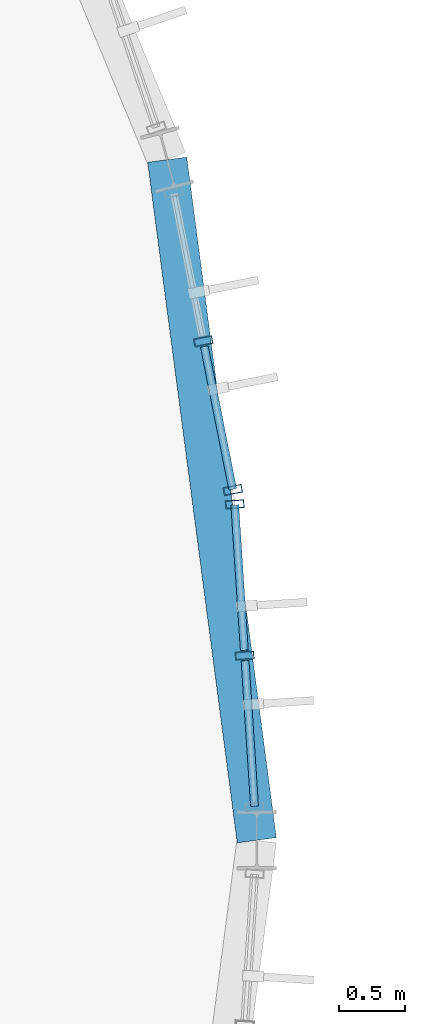
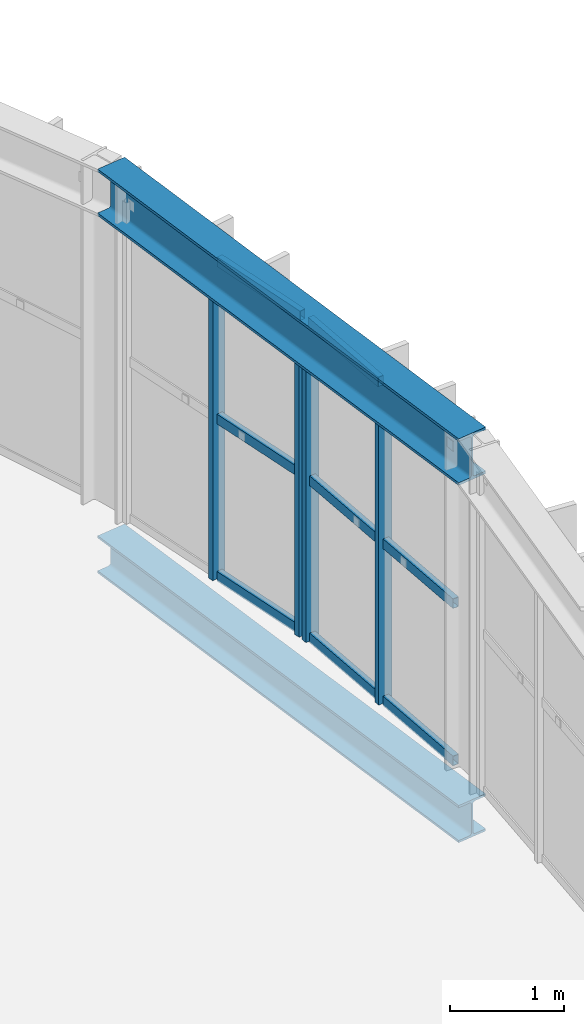
# One storey, part 50 of 152: 13 members, 2 beams, 2 elements without a shape of their own.
"""IFC4 building model written with IfcOpenShell, lengths in metres."""

from ifc_helpers import new_model, si_unit, derived_unit, direction, frame, origin, origin_2d, place, context, subcontext, project, spatial, hollow_rectangle, i_section, extrude, material, material_profile, profile_set, type_object, element, aggregate, save


model = new_model("IFC4")

# Units and contexts
model_context = context("Model", 3, precision=1e-05, world=origin(), true_north=direction((0.0, 1.0)))
body_context = subcontext(model_context, "Body", "Model", "MODEL_VIEW")
ifc_project = project(units=[si_unit("LENGTHUNIT", "METRE"), si_unit("AREAUNIT", "SQUARE_METRE"), si_unit("VOLUMEUNIT", "CUBIC_METRE"), si_unit("PLANEANGLEUNIT", "RADIAN"), si_unit("MASSUNIT", "GRAM", prefix="KILO"), si_unit("THERMODYNAMICTEMPERATUREUNIT", "KELVIN"), si_unit("TIMEUNIT", "SECOND"), derived_unit("THERMALTRANSMITTANCEUNIT", [(si_unit("MASSUNIT", "GRAM", prefix="KILO"), 1), (si_unit("THERMODYNAMICTEMPERATUREUNIT", "KELVIN"), -1), (si_unit("TIMEUNIT", "SECOND"), -3)])], contexts=[model_context])

# Site, building, storey
site_placement = place(None, origin())
site = spatial("IfcSite", under=ifc_project, at=site_placement, CompositionType="ELEMENT")
building_placement = place(site_placement, origin())
building = spatial("IfcBuilding", under=site, at=building_placement, Name="Cambertide Market Hall", CompositionType="ELEMENT")
storey_placement = place(building_placement, frame((0.0, 0.0, 5.39990234375)))
storey = spatial("IfcBuildingStorey", under=building, at=storey_placement, Name="L02", CompositionType="ELEMENT", Elevation=5.39990234375)

# Curtain wall, members
ifc_material_1 = material(Name="Marine Anodized Aluminium 6063-T6 AA25", Category="aluminium")
curtain_wall_type = type_object("IfcCurtainWallType", Name="Lantern Apse Chord Upper Curtain Wall", PredefinedType="USERDEFINED", material=ifc_material_1)
curtain_wall_1_placement = place(storey_placement, origin())
curtain_wall_1 = element("IfcCurtainWall", 1, at=curtain_wall_1_placement, inside=storey, type_object=curtain_wall_type, Name="Level 2 Curtain Wall CW-V1AE-L02-13", ObjectType="UNITIZED CURTAIN WALL", PredefinedType="USERDEFINED")
ifc_material_2 = material(Name="Champagne Marine Anodized Aluminium 6063-T6 AA25", Category="aluminium")
ifc_material_profile_1 = material_profile(ifc_material_2, hollow_rectangle(XDim=0.06005859375, YDim=0.139892578125, WallThickness=0.00341796875, at=origin_2d()), Name="ALU MULLION 60x140")
ifc_profile_set_1 = profile_set([ifc_material_profile_1], Name="Champagne Marine Anodized Aluminium 6063-T6 AA25")
member_type_1 = type_object("IfcMemberType", Name="Curtain Wall Mullion ALU MULLION 60x140", PredefinedType="MULLION", material=ifc_profile_set_1)
member_1_placement = place(storey_placement, frame((124.83251953125, 74.5556640625, 0.0), z_axis=(0.0, 0.0, 1.0), x_axis=(0.065403211921, -0.997858917819, 0.0)))
member_1 = element("IfcMember", 2, at=member_1_placement, type_object=member_type_1, Name="CW-V1AE-L02-13 Mullion 1", PredefinedType="MULLION", context=body_context, shape_type="SweptSolid", body=[
    extrude(hollow_rectangle(XDim=0.06005859375, YDim=0.139892578125, WallThickness=0.00341796875, at=origin_2d()), origin(), (0.0, 0.0, 1.0), 3.4501953125),
])
member_2_placement = place(storey_placement, frame((124.907958984375, 73.405029296875, 0.0), z_axis=(0.0, 0.0, 1.0), x_axis=(0.065403211921, -0.997858917819, 0.0)))
member_2 = element("IfcMember", 3, at=member_2_placement, type_object=member_type_1, Name="CW-V1AE-L02-13 Mullion 2", PredefinedType="MULLION", context=body_context, shape_type="SweptSolid", body=[
    extrude(hollow_rectangle(XDim=0.06005859375, YDim=0.139892578125, WallThickness=0.00341796875, at=origin_2d()), origin(), (0.0, 0.0, 1.0), 3.4501953125),
])

curtain_wall_2_placement = place(storey_placement, origin())
curtain_wall_2 = element("IfcCurtainWall", 4, at=curtain_wall_2_placement, inside=storey, type_object=curtain_wall_type, Name="Level 2 Curtain Wall CW-V1AE-L02-14", ObjectType="UNITIZED CURTAIN WALL", PredefinedType="USERDEFINED")
member_3_placement = place(storey_placement, frame((124.59326171875, 75.79541015625, 0.0), z_axis=(0.0, 0.0, 1.0), x_axis=(0.195090068226, -0.980785330885, 0.0)))
member_3 = element("IfcMember", 5, at=member_3_placement, type_object=member_type_1, Name="CW-V1AE-L02-14 Mullion 2", PredefinedType="MULLION", context=body_context, shape_type="SweptSolid", body=[
    extrude(hollow_rectangle(XDim=0.06005859375, YDim=0.139892578125, WallThickness=0.00341796875, at=origin_2d()), origin(), (0.0, 0.0, 1.0), 3.4501953125),
])
member_4_placement = place(storey_placement, frame((124.818115234375, 74.66455078125, 0.0), z_axis=(0.0, 0.0, 1.0), x_axis=(0.195090068226, -0.980785330885, 0.0)))
member_4 = element("IfcMember", 6, at=member_4_placement, type_object=member_type_1, Name="CW-V1AE-L02-14 Mullion 3", PredefinedType="MULLION", context=body_context, shape_type="SweptSolid", body=[
    extrude(hollow_rectangle(XDim=0.06005859375, YDim=0.139892578125, WallThickness=0.00341796875, at=origin_2d()), origin(), (0.0, 0.0, 1.0), 3.4501953125),
])

# Member
ifc_material_3 = material(Name="Champagne Marine Anodized Aluminium 6063-T6 AA25", Category="aluminium")
ifc_material_profile_2 = material_profile(ifc_material_3, hollow_rectangle(XDim=0.06005859375, YDim=0.10498046875, WallThickness=0.0029296875, at=origin_2d()), Name="ALU TRANSOM 60x105")
ifc_profile_set_2 = profile_set([ifc_material_profile_2], Name="Champagne Marine Anodized Aluminium 6063-T6 AA25")
member_type_2 = type_object("IfcMemberType", Name="Curtain Wall Transom ALU TRANSOM 60x105", PredefinedType="USERDEFINED", material=ifc_profile_set_2)
member_5_placement = place(storey_placement, frame((124.832763671875, 74.550537109375, 0.03515625), z_axis=(0.065451228695, -0.997855769469, 0.0), x_axis=(0.997855769469, 0.065451228695, 0.0)))
member_5 = element("IfcMember", 7, at=member_5_placement, type_object=member_type_2, Name="CW-V1AE-L02-13 Transom 1-1", ObjectType="TRANSOM", PredefinedType="USERDEFINED", context=body_context, shape_type="SweptSolid", body=[
    extrude(hollow_rectangle(XDim=0.06005859375, YDim=0.10498046875, WallThickness=0.0029296875, at=origin_2d()), origin(), (0.0, 0.0, 1.0), 1.10791015625),
])

member_6_placement = place(storey_placement, frame((124.91064453125, 73.365234375, 0.03515625), z_axis=(0.065217451634, -0.997871075842, 0.0), x_axis=(0.997871075842, 0.065217451634, 0.0)))
member_6 = element("IfcMember", 8, at=member_6_placement, type_object=member_type_2, Name="CW-V1AE-L02-13 Transom 1-2", ObjectType="TRANSOM", PredefinedType="USERDEFINED", context=body_context, shape_type="SweptSolid", body=[
    extrude(hollow_rectangle(XDim=0.06005859375, YDim=0.10498046875, WallThickness=0.0029296875, at=origin_2d()), origin(), (0.0, 0.0, 1.0), 1.108154296875),
])

member_7_placement = place(storey_placement, frame((124.832763671875, 74.550537109375, 1.72509765625), z_axis=(0.065451228695, -0.997855769469, 0.0), x_axis=(0.997855769469, 0.065451228695, 0.0)))
member_7 = element("IfcMember", 9, at=member_7_placement, type_object=member_type_2, Name="CW-V1AE-L02-13 Transom 2-1", ObjectType="TRANSOM", PredefinedType="USERDEFINED", context=body_context, shape_type="SweptSolid", body=[
    extrude(hollow_rectangle(XDim=0.06005859375, YDim=0.10498046875, WallThickness=0.0029296875, at=origin_2d()), origin(), (0.0, 0.0, 1.0), 1.10791015625),
])

member_8_placement = place(storey_placement, frame((124.91064453125, 73.365234375, 1.72509765625), z_axis=(0.065217451634, -0.997871075842, 0.0), x_axis=(0.997871075842, 0.065217451634, 0.0)))
member_8 = element("IfcMember", 10, at=member_8_placement, type_object=member_type_2, Name="CW-V1AE-L02-13 Transom 2-2", ObjectType="TRANSOM", PredefinedType="USERDEFINED", context=body_context, shape_type="SweptSolid", body=[
    extrude(hollow_rectangle(XDim=0.06005859375, YDim=0.10498046875, WallThickness=0.0029296875, at=origin_2d()), origin(), (0.0, 0.0, 1.0), 1.108154296875),
])

member_9_placement = place(storey_placement, frame((124.832763671875, 74.550537109375, 3.4150390625), z_axis=(0.065451228695, -0.997855769469, 0.0), x_axis=(0.997855769469, 0.065451228695, 0.0)))
member_9 = element("IfcMember", 11, at=member_9_placement, type_object=member_type_2, Name="CW-V1AE-L02-13 Transom 3-1", ObjectType="TRANSOM", PredefinedType="USERDEFINED", context=body_context, shape_type="SweptSolid", body=[
    extrude(hollow_rectangle(XDim=0.06005859375, YDim=0.10498046875, WallThickness=0.0029296875, at=origin_2d()), origin(), (0.0, 0.0, 1.0), 1.10791015625),
])

member_10_placement = place(storey_placement, frame((124.91064453125, 73.365234375, 3.4150390625), z_axis=(0.065217451634, -0.997871075842, 0.0), x_axis=(0.997871075842, 0.065217451634, 0.0)))
member_10 = element("IfcMember", 12, at=member_10_placement, type_object=member_type_2, Name="CW-V1AE-L02-13 Transom 3-2", ObjectType="TRANSOM", PredefinedType="USERDEFINED", context=body_context, shape_type="SweptSolid", body=[
    extrude(hollow_rectangle(XDim=0.06005859375, YDim=0.10498046875, WallThickness=0.0029296875, at=origin_2d()), origin(), (0.0, 0.0, 1.0), 1.108154296875),
])

aggregate(curtain_wall_1, [member_1, member_2, member_5, member_6, member_7, member_8, member_9, member_10])

member_11_placement = place(storey_placement, frame((124.60107421875, 75.756103515625, 0.03515625), z_axis=(0.195014235999, -0.980800411785, 0.0), x_axis=(0.980800411785, 0.195014235999, 0.0)))
member_11 = element("IfcMember", 13, at=member_11_placement, type_object=member_type_2, Name="CW-V1AE-L02-14 Transom 1-2", ObjectType="TRANSOM", PredefinedType="USERDEFINED", context=body_context, shape_type="SweptSolid", body=[
    extrude(hollow_rectangle(XDim=0.06005859375, YDim=0.10498046875, WallThickness=0.0029296875, at=origin_2d()), origin(), (0.0, 0.0, 1.0), 1.10791015625),
])

member_12_placement = place(storey_placement, frame((124.60107421875, 75.756103515625, 1.72509765625), z_axis=(0.195014235999, -0.980800411785, 0.0), x_axis=(0.980800411785, 0.195014235999, 0.0)))
member_12 = element("IfcMember", 14, at=member_12_placement, type_object=member_type_2, Name="CW-V1AE-L02-14 Transom 2-2", ObjectType="TRANSOM", PredefinedType="USERDEFINED", context=body_context, shape_type="SweptSolid", body=[
    extrude(hollow_rectangle(XDim=0.06005859375, YDim=0.10498046875, WallThickness=0.0029296875, at=origin_2d()), origin(), (0.0, 0.0, 1.0), 1.10791015625),
])

member_13_placement = place(storey_placement, frame((124.60107421875, 75.756103515625, 3.4150390625), z_axis=(0.195014235999, -0.980800411785, 0.0), x_axis=(0.980800411785, 0.195014235999, 0.0)))
member_13 = element("IfcMember", 15, at=member_13_placement, type_object=member_type_2, Name="CW-V1AE-L02-14 Transom 3-2", ObjectType="TRANSOM", PredefinedType="USERDEFINED", context=body_context, shape_type="SweptSolid", body=[
    extrude(hollow_rectangle(XDim=0.06005859375, YDim=0.10498046875, WallThickness=0.0029296875, at=origin_2d()), origin(), (0.0, 0.0, 1.0), 1.10791015625),
])

aggregate(curtain_wall_2, [member_3, member_4, member_11, member_12, member_13])

# Beams
ifc_material_4 = material(Name="Steel S355", Category="steel")
ifc_material_profile_3 = material_profile(ifc_material_4, i_section(OverallWidth=0.300048828125, OverallDepth=0.5, WebThickness=0.014404296875, FlangeThickness=0.028076171875, FilletRadius=0.027099609375, at=origin_2d()), Name="HEB 500")
ifc_profile_set_3 = profile_set([ifc_material_profile_3], Name="Steel S355")
beam_type_1 = type_object("IfcBeamType", Name="Exterior Steel Girder HEB 500", PredefinedType="BEAM", material=ifc_profile_set_3)
beam_1_placement = place(storey_placement, frame((125.0, 72.0, 3.4501953125), z_axis=(-0.130512574825, 0.991446654043, 0.0), x_axis=(-0.991446654043, -0.130512574825, 0.0)))
element("IfcBeam", 16, at=beam_1_placement, inside=storey, type_object=beam_type_1, Name="Level 2 Beam EAVE-V1AE-07", PredefinedType="BEAM", context=body_context, shape_type="SweptSolid", body=[
    extrude(i_section(OverallWidth=0.300048828125, OverallDepth=0.5, WebThickness=0.014404296875, FlangeThickness=0.028076171875, FilletRadius=0.027099609375, at=origin_2d()), origin(), (0.0, 0.0, 1.0), 5.220947265625),
])
ifc_material_5 = material(Name="Steel S355", Category="steel")
ifc_material_profile_4 = material_profile(ifc_material_5, i_section(OverallWidth=0.300048828125, OverallDepth=0.39990234375, WebThickness=0.013427734375, FlangeThickness=0.02392578125, FilletRadius=0.027099609375, at=origin_2d()), Name="HEB 400")
ifc_profile_set_4 = profile_set([ifc_material_profile_4], Name="Steel S355")
beam_type_2 = type_object("IfcBeamType", Name="Steel Girder HEB 400", PredefinedType="BEAM", material=ifc_profile_set_4)
beam_2_placement = place(storey_placement, frame((125.0, 72.0, -0.43994140625), z_axis=(-0.130512574825, 0.991446654043, 0.0), x_axis=(-0.991446654043, -0.130512574825, 0.0)))
element("IfcBeam", 17, at=beam_2_placement, inside=storey, type_object=beam_type_2, Name="Level 2 Beam BM-V1AE-L02-7", PredefinedType="BEAM", context=body_context, shape_type="SweptSolid", body=[
    extrude(i_section(OverallWidth=0.300048828125, OverallDepth=0.39990234375, WebThickness=0.013427734375, FlangeThickness=0.02392578125, FilletRadius=0.027099609375, at=origin_2d()), origin(), (0.0, 0.0, 1.0), 5.220947265625),
])

save(model, "model.ifc")
